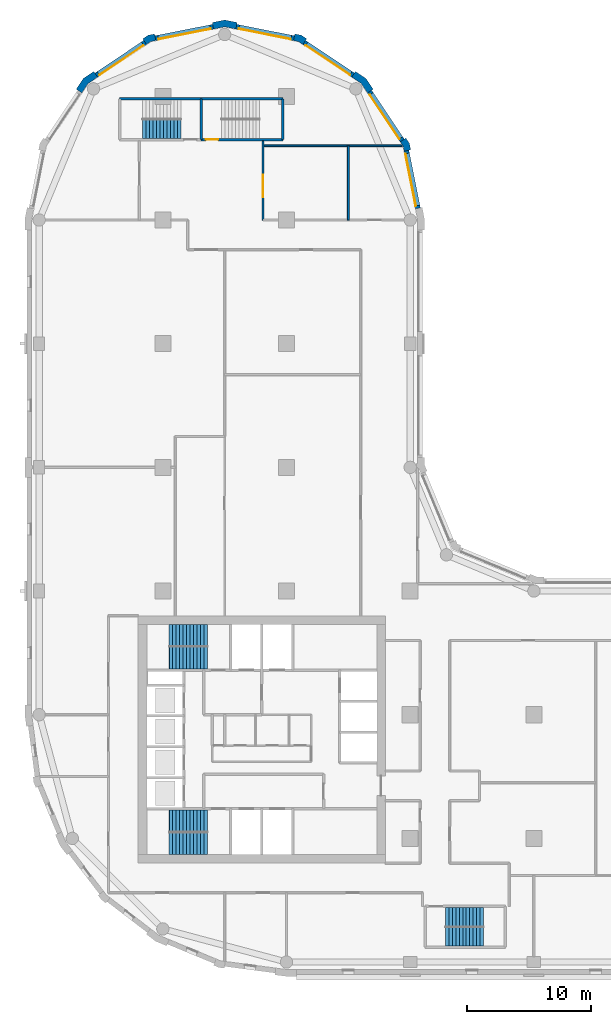
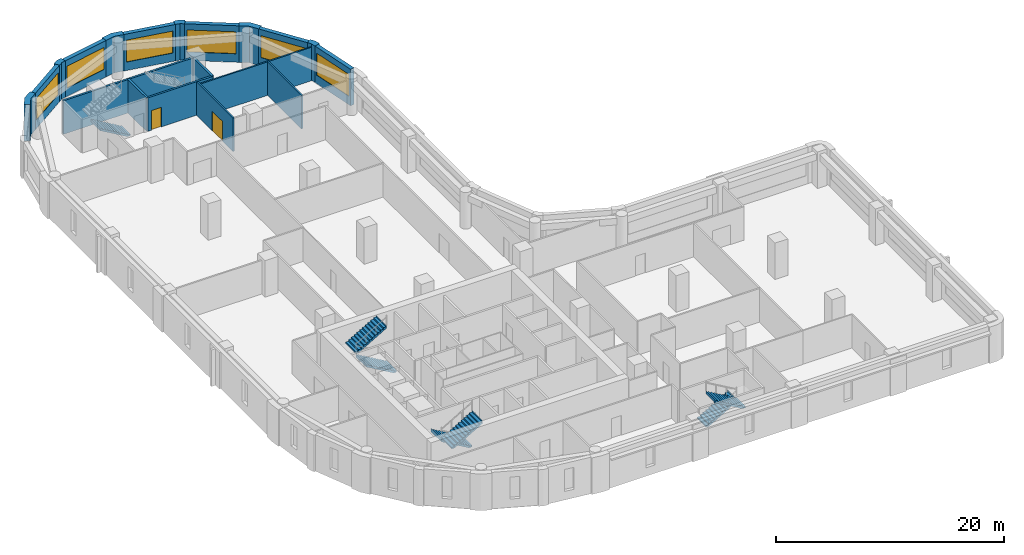
# One storey, part 6 of 9: 20 walls, 7 stair flights, 6 windows, 2 doors, 8 openings, 4 elements without a shape of their own.
"""IFC4 building model written with IfcOpenShell, lengths in metres."""

from ifc_helpers import new_model, si_unit, direction, frame, frame_2d, origin, place, context, subcontext, project, spatial, polyline, rectangle, outline, extrude, material, layer, layer_set, type_object, element, fill, aggregate, save


model = new_model("IFC4")

# Units and contexts
model_context = context("Model", 3, precision=1e-05, world=origin(), true_north=direction((0.0, 1.0)))
body_context = subcontext(model_context, "Body", "Model", "MODEL_VIEW")
ifc_project = project(units=[si_unit("LENGTHUNIT", "METRE"), si_unit("AREAUNIT", "SQUARE_METRE"), si_unit("VOLUMEUNIT", "CUBIC_METRE"), si_unit("PLANEANGLEUNIT", "RADIAN"), si_unit("MASSUNIT", "GRAM", prefix="KILO")], contexts=[model_context])

# Site, building, storey
site_placement = place(None, origin())
site = spatial("IfcSite", under=ifc_project, at=site_placement, CompositionType="ELEMENT")
building_placement = place(site_placement, origin())
building = spatial("IfcBuilding", under=site, at=building_placement, Name="Qaws Garden Tower", CompositionType="ELEMENT")
storey_placement = place(building_placement, frame((0.0, 0.0, 135.60009765625)))
storey = spatial("IfcBuildingStorey", under=building, at=storey_placement, Name="L32", CompositionType="ELEMENT", Elevation=135.60009765625)

# Wall, opening, window
ifc_material_1 = material(Name="Clay facing brick masonry", Category="masonry")
ifc_layer_1 = layer(ifc_material_1, 0.39990234375)
ifc_layer_set_1 = layer_set([ifc_layer_1], Name="Clay facing brick masonry")
wall_type_1 = type_object("IfcWallType", Name="Brick infill wall 400", PredefinedType="SOLIDWALL", material=ifc_layer_set_1)
wall_1_placement = place(storey_placement, frame((30.628662109375, 60.940673828125, 0.0), z_axis=(0.0, 0.0, 1.0), x_axis=(-0.195098533057, 0.98078364709, 0.0)))
wall_1 = element("IfcWall", 1, at=wall_1_placement, inside=storey, type_object=wall_type_1, Name="E-L32-infill-13", PredefinedType="SOLIDWALL", context=body_context, shape_type="SweptSolid", body=[
    extrude(rectangle(XDim=4.752685546875, YDim=0.39990234375, at=frame_2d((2.37646484375, 0.0))), origin(), (0.0, 0.0, 1.0), 3.89990234375),
])
opening_1_placement = place(wall_1_placement, frame((0.226318359375, 0.0, 0.89990234375)))
opening_1 = element("IfcOpeningElement", 2, at=opening_1_placement, cuts=wall_1, Name="Opening W06", PredefinedType="OPENING", context=body_context, shape_type="SweptSolid", body=[
    extrude(rectangle(XDim=4.300048828125, YDim=2.35009765625, at=frame_2d((2.14990234375, 1.175048828125))), frame((0.0, 0.2099609375, 0.0), z_axis=(0.0, -1.0, 0.0), x_axis=(1.0, 0.0, 0.0)), (0.0, 0.0, 1.0), 0.419921875),
])
ifc_material_2 = material(Name="Aluminium framed window, clear glazing", Category="aluminium")
window_type = type_object("IfcWindowType", Name="Ribbon window 4300 x 2350", PartitioningType="DOUBLE_PANEL_VERTICAL", PredefinedType="WINDOW", material=ifc_material_2)
window_1_placement = place(opening_1_placement, origin())
window_1 = element("IfcWindow", 3, at=window_1_placement, inside=storey, type_object=window_type, Name="E-L32-window-13-0", OverallHeight=2.35009765625, OverallWidth=4.300048828125, PartitioningType="SINGLE_PANEL", PredefinedType="WINDOW", context=body_context, shape_type="SweptSolid", body=[
    extrude(rectangle(XDim=4.300048828125, YDim=2.35009765625, at=frame_2d((2.14990234375, 1.175048828125))), frame((0.0, 0.159912109375, 0.0), z_axis=(0.0, -1.0, 0.0), x_axis=(1.0, 0.0, 0.0)), (0.0, 0.0, 1.0), 0.06005859375),
])
fill(opening_1, window_1)

wall_2_placement = place(storey_placement, frame((29.356689453125, 66.43408203125, 0.0), z_axis=(0.0, 0.0, 1.0), x_axis=(-0.555541552266, 0.831488775454, 0.0)))
wall_2 = element("IfcWall", 4, at=wall_2_placement, inside=storey, type_object=wall_type_1, Name="E-L32-infill-14", PredefinedType="SOLIDWALL", context=body_context, shape_type="SweptSolid", body=[
    extrude(rectangle(XDim=4.752685546875, YDim=0.39990234375, at=frame_2d((2.37646484375, 0.0))), origin(), (0.0, 0.0, 1.0), 3.89990234375),
])
opening_2_placement = place(wall_2_placement, frame((0.226318359375, 0.0, 0.89990234375)))
opening_2 = element("IfcOpeningElement", 5, at=opening_2_placement, cuts=wall_2, Name="Opening W06", PredefinedType="OPENING", context=body_context, shape_type="SweptSolid", body=[
    extrude(rectangle(XDim=4.300048828125, YDim=2.35009765625, at=frame_2d((2.14990234375, 1.175048828125))), frame((0.0, 0.2099609375, 0.0), z_axis=(0.0, -1.0, 0.0), x_axis=(1.0, 0.0, 0.0)), (0.0, 0.0, 1.0), 0.419921875),
])
window_2_placement = place(opening_2_placement, origin())
window_2 = element("IfcWindow", 6, at=window_2_placement, inside=storey, type_object=window_type, Name="E-L32-window-14-0", OverallHeight=2.35009765625, OverallWidth=4.300048828125, PartitioningType="SINGLE_PANEL", PredefinedType="WINDOW", context=body_context, shape_type="SweptSolid", body=[
    extrude(rectangle(XDim=4.300048828125, YDim=2.35009765625, at=frame_2d((2.14990234375, 1.175048828125))), frame((0.0, 0.159912109375, 0.0), z_axis=(0.0, -1.0, 0.0), x_axis=(1.0, 0.0, 0.0)), (0.0, 0.0, 1.0), 0.06005859375),
])
fill(opening_2, window_2)

wall_3_placement = place(storey_placement, frame((25.385986328125, 71.71630859375, 0.0), z_axis=(0.0, 0.0, 1.0), x_axis=(-0.831488775454, 0.555541552266, 0.0)))
wall_3 = element("IfcWall", 7, at=wall_3_placement, inside=storey, type_object=wall_type_1, Name="E-L32-infill-15", PredefinedType="SOLIDWALL", context=body_context, shape_type="SweptSolid", body=[
    extrude(rectangle(XDim=4.752685546875, YDim=0.39990234375, at=frame_2d((2.37646484375, 0.0))), origin(), (0.0, 0.0, 1.0), 3.89990234375),
])
opening_3_placement = place(wall_3_placement, frame((0.226318359375, 0.0, 0.89990234375)))
opening_3 = element("IfcOpeningElement", 8, at=opening_3_placement, cuts=wall_3, Name="Opening W06", PredefinedType="OPENING", context=body_context, shape_type="SweptSolid", body=[
    extrude(rectangle(XDim=4.300048828125, YDim=2.35009765625, at=frame_2d((2.14990234375, 1.175048828125))), frame((0.0, 0.2099609375, 0.0), z_axis=(0.0, -1.0, 0.0), x_axis=(1.0, 0.0, 0.0)), (0.0, 0.0, 1.0), 0.419921875),
])
window_3_placement = place(opening_3_placement, origin())
window_3 = element("IfcWindow", 9, at=window_3_placement, inside=storey, type_object=window_type, Name="E-L32-window-15-0", OverallHeight=2.35009765625, OverallWidth=4.300048828125, PartitioningType="SINGLE_PANEL", PredefinedType="WINDOW", context=body_context, shape_type="SweptSolid", body=[
    extrude(rectangle(XDim=4.300048828125, YDim=2.35009765625, at=frame_2d((2.14990234375, 1.175048828125))), frame((0.0, 0.159912109375, 0.0), z_axis=(0.0, -1.0, 0.0), x_axis=(1.0, 0.0, 0.0)), (0.0, 0.0, 1.0), 0.06005859375),
])
fill(opening_3, window_3)

wall_4_placement = place(storey_placement, frame((20.60205078125, 74.701416015625, 0.0), z_axis=(0.0, 0.0, 1.0), x_axis=(-0.98078364709, 0.195098533057, 0.0)))
wall_4 = element("IfcWall", 10, at=wall_4_placement, inside=storey, type_object=wall_type_1, Name="E-L32-infill-16", PredefinedType="SOLIDWALL", context=body_context, shape_type="SweptSolid", body=[
    extrude(rectangle(XDim=4.752685546875, YDim=0.39990234375, at=frame_2d((2.37646484375, 0.0))), origin(), (0.0, 0.0, 1.0), 3.89990234375),
])
opening_4_placement = place(wall_4_placement, frame((0.226318359375, 0.0, 0.89990234375)))
opening_4 = element("IfcOpeningElement", 11, at=opening_4_placement, cuts=wall_4, Name="Opening W06", PredefinedType="OPENING", context=body_context, shape_type="SweptSolid", body=[
    extrude(rectangle(XDim=4.300048828125, YDim=2.35009765625, at=frame_2d((2.14990234375, 1.175048828125))), frame((0.0, 0.2099609375, 0.0), z_axis=(0.0, -1.0, 0.0), x_axis=(1.0, 0.0, 0.0)), (0.0, 0.0, 1.0), 0.419921875),
])
window_4_placement = place(opening_4_placement, origin())
window_4 = element("IfcWindow", 12, at=window_4_placement, inside=storey, type_object=window_type, Name="E-L32-window-16-0", OverallHeight=2.35009765625, OverallWidth=4.300048828125, PartitioningType="SINGLE_PANEL", PredefinedType="WINDOW", context=body_context, shape_type="SweptSolid", body=[
    extrude(rectangle(XDim=4.300048828125, YDim=2.35009765625, at=frame_2d((2.14990234375, 1.175048828125))), frame((0.0, 0.159912109375, 0.0), z_axis=(0.0, -1.0, 0.0), x_axis=(1.0, 0.0, 0.0)), (0.0, 0.0, 1.0), 0.06005859375),
])
fill(opening_4, window_4)

wall_5_placement = place(storey_placement, frame((14.059326171875, 75.628662109375, 0.0), z_axis=(0.0, 0.0, 1.0), x_axis=(-0.98078364709, -0.195098533057, 0.0)))
wall_5 = element("IfcWall", 13, at=wall_5_placement, inside=storey, type_object=wall_type_1, Name="E-L32-infill-17", PredefinedType="SOLIDWALL", context=body_context, shape_type="SweptSolid", body=[
    extrude(rectangle(XDim=4.752685546875, YDim=0.39990234375, at=frame_2d((2.37646484375, 0.0))), origin(), (0.0, 0.0, 1.0), 3.89990234375),
])
opening_5_placement = place(wall_5_placement, frame((0.226318359375, 0.0, 0.89990234375)))
opening_5 = element("IfcOpeningElement", 14, at=opening_5_placement, cuts=wall_5, Name="Opening W06", PredefinedType="OPENING", context=body_context, shape_type="SweptSolid", body=[
    extrude(rectangle(XDim=4.300048828125, YDim=2.35009765625, at=frame_2d((2.14990234375, 1.175048828125))), frame((0.0, 0.2099609375, 0.0), z_axis=(0.0, -1.0, 0.0), x_axis=(1.0, 0.0, 0.0)), (0.0, 0.0, 1.0), 0.419921875),
])
window_5_placement = place(opening_5_placement, origin())
window_5 = element("IfcWindow", 15, at=window_5_placement, inside=storey, type_object=window_type, Name="E-L32-window-17-0", OverallHeight=2.35009765625, OverallWidth=4.300048828125, PartitioningType="SINGLE_PANEL", PredefinedType="WINDOW", context=body_context, shape_type="SweptSolid", body=[
    extrude(rectangle(XDim=4.300048828125, YDim=2.35009765625, at=frame_2d((2.14990234375, 1.175048828125))), frame((0.0, 0.159912109375, 0.0), z_axis=(0.0, -1.0, 0.0), x_axis=(1.0, 0.0, 0.0)), (0.0, 0.0, 1.0), 0.06005859375),
])
fill(opening_5, window_5)

wall_6_placement = place(storey_placement, frame((8.56591796875, 74.356689453125, 0.0), z_axis=(0.0, 0.0, 1.0), x_axis=(-0.831488775454, -0.555541552266, 0.0)))
wall_6 = element("IfcWall", 16, at=wall_6_placement, inside=storey, type_object=wall_type_1, Name="E-L32-infill-18", PredefinedType="SOLIDWALL", context=body_context, shape_type="SweptSolid", body=[
    extrude(rectangle(XDim=4.752685546875, YDim=0.39990234375, at=frame_2d((2.37646484375, 0.0))), origin(), (0.0, 0.0, 1.0), 3.89990234375),
])
opening_6_placement = place(wall_6_placement, frame((0.226318359375, 0.0, 0.89990234375)))
opening_6 = element("IfcOpeningElement", 17, at=opening_6_placement, cuts=wall_6, Name="Opening W06", PredefinedType="OPENING", context=body_context, shape_type="SweptSolid", body=[
    extrude(rectangle(XDim=4.300048828125, YDim=2.35009765625, at=frame_2d((2.14990234375, 1.175048828125))), frame((0.0, 0.2099609375, 0.0), z_axis=(0.0, -1.0, 0.0), x_axis=(1.0, 0.0, 0.0)), (0.0, 0.0, 1.0), 0.419921875),
])
window_6_placement = place(opening_6_placement, origin())
window_6 = element("IfcWindow", 18, at=window_6_placement, inside=storey, type_object=window_type, Name="E-L32-window-18-0", OverallHeight=2.35009765625, OverallWidth=4.300048828125, PartitioningType="SINGLE_PANEL", PredefinedType="WINDOW", context=body_context, shape_type="SweptSolid", body=[
    extrude(rectangle(XDim=4.300048828125, YDim=2.35009765625, at=frame_2d((2.14990234375, 1.175048828125))), frame((0.0, 0.159912109375, 0.0), z_axis=(0.0, -1.0, 0.0), x_axis=(1.0, 0.0, 0.0)), (0.0, 0.0, 1.0), 0.06005859375),
])
fill(opening_6, window_6)

# Walls
ifc_material_3 = material(Name="Clay facing brick masonry", Category="masonry")
ifc_layer_2 = layer(ifc_material_3, 0.550048828125)
ifc_layer_set_2 = layer_set([ifc_layer_2], Name="Clay facing brick masonry")
wall_type_2 = type_object("IfcWallType", Name="Brick kink pier 550 x 600", PredefinedType="SOLIDWALL", material=ifc_layer_set_2)
placement = place(storey_placement, origin())
element("IfcWall", 19, at=placement, inside=storey, type_object=wall_type_2, Name="E-L32-pier-14", PredefinedType="SOLIDWALL", context=body_context, shape_type="SweptSolid", body=[
    extrude(outline(polyline([(29.8974609375, 65.64111328125), (30.044677734375, 65.67041015625), (29.94140625, 66.18896484375), (29.647705078125, 66.628662109375), (29.52294921875, 66.545166015625), (29.1904296875, 66.322998046875), (29.42333984375, 65.974365234375), (29.505126953125, 65.56298828125), (29.8974609375, 65.64111328125)])), origin(), (0.0, 0.0, 1.0), 3.89990234375),
])
element("IfcWall", 20, at=placement, inside=storey, type_object=wall_type_2, Name="E-L32-pier-16", PredefinedType="SOLIDWALL", context=body_context, shape_type="SweptSolid", body=[
    extrude(outline(polyline([(21.545166015625, 74.52294921875), (21.628662109375, 74.647705078125), (21.18896484375, 74.94140625), (20.67041015625, 75.044677734375), (20.64111328125, 74.8974609375), (20.56298828125, 74.505126953125), (20.974365234375, 74.42333984375), (21.322998046875, 74.1904296875), (21.545166015625, 74.52294921875)])), origin(), (0.0, 0.0, 1.0), 3.89990234375),
])
element("IfcWall", 21, at=placement, inside=storey, type_object=wall_type_2, Name="E-L32-pier-18", PredefinedType="SOLIDWALL", context=body_context, shape_type="SweptSolid", body=[
    extrude(outline(polyline([(9.35888671875, 74.8974609375), (9.32958984375, 75.044677734375), (8.81103515625, 74.94140625), (8.371337890625, 74.647705078125), (8.454833984375, 74.52294921875), (8.677001953125, 74.1904296875), (9.025634765625, 74.42333984375), (9.43701171875, 74.505126953125), (9.35888671875, 74.8974609375)])), origin(), (0.0, 0.0, 1.0), 3.89990234375),
])
ifc_material_4 = material(Name="Clay facing brick masonry", Category="masonry")
ifc_layer_3 = layer(ifc_material_4, 0.550048828125)
ifc_layer_set_3 = layer_set([ifc_layer_3], Name="Clay facing brick masonry")
wall_type_3 = type_object("IfcWallType", Name="Brick pier 550 x 1600", PredefinedType="SOLIDWALL", material=ifc_layer_set_3)
element("IfcWall", 22, at=placement, inside=storey, type_object=wall_type_3, Name="E-L32-pier-15", PredefinedType="SOLIDWALL", context=body_context, shape_type="SweptSolid", body=[
    extrude(outline(polyline([(26.882568359375, 70.4970703125), (27.00732421875, 70.580322265625), (26.435791015625, 71.435791015625), (25.580322265625, 72.00732421875), (25.4970703125, 71.882568359375), (25.274658203125, 71.550048828125), (26.0390625, 71.0390625), (26.550048828125, 70.274658203125), (26.882568359375, 70.4970703125)])), origin(), (0.0, 0.0, 1.0), 3.89990234375),
])
element("IfcWall", 23, at=placement, inside=storey, type_object=wall_type_3, Name="E-L32-pier-17", PredefinedType="SOLIDWALL", context=body_context, shape_type="SweptSolid", body=[
    extrude(outline(polyline([(15.979736328125, 75.82470703125), (16.009033203125, 75.971923828125), (15.0, 76.172607421875), (13.990966796875, 75.971923828125), (14.020263671875, 75.82470703125), (14.098388671875, 75.432373046875), (15.0, 75.61181640625), (15.901611328125, 75.432373046875), (15.979736328125, 75.82470703125)])), origin(), (0.0, 0.0, 1.0), 3.89990234375),
])
element("IfcWall", 24, at=placement, inside=storey, type_object=wall_type_3, Name="E-L32-pier-19", PredefinedType="SOLIDWALL", context=body_context, shape_type="SweptSolid", body=[
    extrude(outline(polyline([(4.5029296875, 71.882568359375), (4.419677734375, 72.00732421875), (3.564208984375, 71.435791015625), (2.99267578125, 70.580322265625), (3.117431640625, 70.4970703125), (3.449951171875, 70.274658203125), (3.9609375, 71.0390625), (4.725341796875, 71.550048828125), (4.5029296875, 71.882568359375)])), origin(), (0.0, 0.0, 1.0), 3.89990234375),
])

# Wall, opening, door
ifc_material_5 = material(Name="Concrete C70", Category="concrete")
ifc_layer_4 = layer(ifc_material_5, 0.199951171875)
ifc_layer_set_4 = layer_set([ifc_layer_4], Name="Concrete C70")
wall_type_4 = type_object("IfcWallType", Name="Core shaft wall 200 C70", PredefinedType="SHEAR", material=ifc_layer_set_4)
wall_13_placement = place(storey_placement, frame((13.10009765625, 66.5, 0.0), z_axis=(0.0, 0.0, 1.0), x_axis=(1.0, 0.0, 0.0)))
wall_13 = element("IfcWall", 25, at=wall_13_placement, inside=storey, type_object=wall_type_4, Name="Shaft wall", PredefinedType="SHEAR", context=body_context, shape_type="SweptSolid", body=[
    extrude(rectangle(XDim=6.599853515625, YDim=0.199951171875, at=frame_2d((3.2998046875, 0.0))), origin(), (0.0, 0.0, 1.0), 3.579833984375),
])
opening_7_placement = place(wall_13_placement, frame((0.375, 0.0, 0.0)))
opening_7 = element("IfcOpeningElement", 26, at=opening_7_placement, cuts=wall_13, Name="Opening SD14", PredefinedType="OPENING", context=body_context, shape_type="SweptSolid", body=[
    extrude(rectangle(XDim=1.0, YDim=2.10009765625, at=frame_2d((0.5, 1.050048828125))), frame((0.0, 0.10986328125, 0.0), z_axis=(0.0, -1.0, 0.0), x_axis=(1.0, 0.0, 0.0)), (0.0, 0.0, 1.0), 0.219970703125),
])
ifc_material_6 = material(Name="Steel S235", Category="steel")
door_type_1 = type_object("IfcDoorType", Name="Stair door 1000x2100", OperationType="SINGLE_SWING_RIGHT", PredefinedType="DOOR", material=ifc_material_6)
door_1_placement = place(opening_7_placement, origin())
door_1 = element("IfcDoor", 27, at=door_1_placement, inside=storey, type_object=door_type_1, Name="Stair 7 door", OperationType="SINGLE_SWING_LEFT", OverallHeight=2.10009765625, OverallWidth=1.0, PredefinedType="DOOR", context=body_context, shape_type="SweptSolid", body=[
    extrude(rectangle(XDim=1.0, YDim=2.10009765625, at=frame_2d((0.5, 1.050048828125))), frame((0.0, 0.02490234375, 0.0), z_axis=(0.0, -1.0, 0.0), x_axis=(1.0, 0.0, 0.0)), (0.0, 0.0, 1.0), 0.050048828125),
])
fill(opening_7, door_1)

# Walls
wall_14_placement = place(storey_placement, frame((6.5, 69.800048828125, 0.0), z_axis=(0.0, 0.0, 1.0), x_axis=(1.0, 0.0, 0.0)))
element("IfcWall", 28, at=wall_14_placement, inside=storey, type_object=wall_type_4, Name="Shaft wall", PredefinedType="SHEAR", context=body_context, shape_type="SweptSolid", body=[
    extrude(rectangle(XDim=6.60009765625, YDim=0.199951171875, at=frame_2d((3.300048828125, 0.0))), origin(), (0.0, 0.0, 1.0), 3.579833984375),
])
wall_15_placement = place(storey_placement, frame((13.10009765625, 69.800048828125, 0.0), z_axis=(0.0, 0.0, 1.0), x_axis=(1.0, 0.0, 0.0)))
element("IfcWall", 29, at=wall_15_placement, inside=storey, type_object=wall_type_4, Name="Shaft wall", PredefinedType="SHEAR", context=body_context, shape_type="SweptSolid", body=[
    extrude(rectangle(XDim=6.599853515625, YDim=0.199951171875, at=frame_2d((3.2998046875, 0.0))), origin(), (0.0, 0.0, 1.0), 3.579833984375),
])
for number, where, z_axis, x_axis, name in (
    (30, (13.10009765625, 66.5, 0.0), (0.0, 0.0, 1.0), (0.0, 1.0, 0.0), "Shaft wall"),
    (31, (19.699951171875, 66.5, 0.0), (0.0, 0.0, 1.0), (0.0, 1.0, 0.0), "Shaft wall"),
):
    element("IfcWall", number, at=place(storey_placement, frame(where, z_axis=z_axis, x_axis=x_axis)), inside=storey, type_object=wall_type_4, Name=name, PredefinedType="SHEAR", context=body_context, shape_type="SweptSolid", body=[
        extrude(rectangle(XDim=3.300048828125, YDim=0.199951171875, at=frame_2d((1.64990234375, 0.0))), origin(), (0.0, 0.0, 1.0), 3.579833984375),
    ])

# Wall, opening, door
ifc_material_7 = material(Name="Gypsum board partition")
ifc_layer_5 = layer(ifc_material_7, 0.14990234375)
ifc_layer_set_5 = layer_set([ifc_layer_5], Name="Gypsum board partition")
wall_type_5 = type_object("IfcWallType", Name="PARTITION 150 EI 60", PredefinedType="PARTITIONING", material=ifc_layer_set_5)
wall_16_placement = place(storey_placement, frame((18.10009765625, 60.0, 0.0), z_axis=(0.0, 0.0, 1.0), x_axis=(0.0, 1.0, 0.0)))
wall_16 = element("IfcWall", 32, at=wall_16_placement, inside=storey, type_object=wall_type_5, Name="O-L32-wall-010", PredefinedType="PARTITIONING", context=body_context, shape_type="SweptSolid", body=[
    extrude(rectangle(XDim=6.39990234375, YDim=0.14990234375, at=frame_2d((3.199951171875, 0.0))), origin(), (0.0, 0.0, 1.0), 3.579833984375),
])
opening_8_placement = place(wall_16_placement, frame((1.85009765625, 0.0, 0.0)))
opening_8 = element("IfcOpeningElement", 33, at=opening_8_placement, cuts=wall_16, Name="Opening B108", PredefinedType="OPENING", context=body_context, shape_type="SweptSolid", body=[
    extrude(rectangle(XDim=1.800048828125, YDim=2.10009765625, at=frame_2d((0.89990234375, 1.050048828125))), frame((0.0, 0.0849609375, 0.0), z_axis=(0.0, -1.0, 0.0), x_axis=(1.0, 0.0, 0.0)), (0.0, 0.0, 1.0), 0.169921875),
])
ifc_material_8 = material(Name="Timber door leaf", Category="wood")
door_type_2 = type_object("IfcDoorType", Name="DOUBLE DOOR 1800 X 2100", OperationType="DOUBLE_DOOR_SINGLE_SWING", PredefinedType="DOOR", material=ifc_material_8)
door_2_placement = place(opening_8_placement, frame((1.800048828125, 0.0, 0.0), z_axis=(0.0, 0.0, 1.0), x_axis=(-1.0, 0.0, 0.0)))
door_2 = element("IfcDoor", 34, at=door_2_placement, inside=storey, type_object=door_type_2, Name="O-L32-door-008", OperationType="DOUBLE_DOOR_SINGLE_SWING", OverallHeight=2.10009765625, OverallWidth=1.800048828125, PredefinedType="DOOR", context=body_context, shape_type="SweptSolid", body=[
    extrude(rectangle(XDim=1.800048828125, YDim=2.10009765625, at=frame_2d((0.89990234375, 1.050048828125))), frame((0.0, 0.02490234375, 0.0), z_axis=(0.0, -1.0, 0.0), x_axis=(1.0, 0.0, 0.0)), (0.0, 0.0, 1.0), 0.050048828125),
])
fill(opening_8, door_2)

# Walls
wall_17_placement = place(storey_placement, frame((25.0, 60.0, 0.0), z_axis=(0.0, 0.0, 1.0), x_axis=(0.0, 1.0, 0.0)))
element("IfcWall", 35, at=wall_17_placement, inside=storey, type_object=wall_type_5, Name="O-L32-wall-012", PredefinedType="PARTITIONING", context=body_context, shape_type="SweptSolid", body=[
    extrude(rectangle(XDim=6.0, YDim=0.14990234375, at=frame_2d((3.0, 0.0))), origin(), (0.0, 0.0, 1.0), 3.579833984375),
])
wall_18_placement = place(storey_placement, frame((18.10009765625, 66.0, 0.0), z_axis=(0.0, 0.0, 1.0), x_axis=(1.0, 0.0, 0.0)))
element("IfcWall", 36, at=wall_18_placement, inside=storey, type_object=wall_type_5, Name="O-L32-wall-049", PredefinedType="PARTITIONING", context=body_context, shape_type="SweptSolid", body=[
    extrude(rectangle(XDim=11.256103515625, YDim=0.14990234375, at=frame_2d((5.6279296875, 0.0))), origin(), (0.0, 0.0, 1.0), 3.579833984375),
])

# Stair, stair flights
ifc_material_9 = material(Name="Concrete C40", Category="concrete")
stair_type_1 = type_object("IfcStairType", Name="Exit stair 1350", PredefinedType="HALF_TURN_STAIR", material=ifc_material_9)
stair_1 = element("IfcStair", 37, at=placement, inside=storey, type_object=stair_type_1, Name="Stair 5", PredefinedType="HALF_TURN_STAIR")
ifc_material_10 = material(Name="Concrete C40", Category="concrete")
stair_flight_type_1 = type_object("IfcStairFlightType", Name="Stair flight 1350", PredefinedType="STRAIGHT", material=ifc_material_10)
stair_flight_1_placement = place(storey_placement, frame((32.85009765625, 3.625, 0.0), z_axis=(0.0, 0.0, 1.0), x_axis=(1.0, 0.0, 0.0)))
stair_flight_1 = element("IfcStairFlight", 38, at=stair_flight_1_placement, type_object=stair_flight_type_1, Name="ST5 flight 1", NumberOfRisers=12, NumberOfTreads=11, PredefinedType="STRAIGHT", RiserHeight=0.1625, TreadLength=0.28, context=body_context, shape_type="SweptSolid", body=[
    extrude(outline(polyline([(-0.0029296875, 0.0), (-0.0029296875, 0.16259765625), (0.0, 0.16259765625), (0.280029296875, 0.16259765625), (0.280029296875, 0.324951171875), (0.56005859375, 0.324951171875), (0.56005859375, 0.487548828125), (0.840087890625, 0.487548828125), (0.840087890625, 0.64990234375), (1.1201171875, 0.64990234375), (1.1201171875, 0.8125), (1.39990234375, 0.8125), (1.39990234375, 0.97509765625), (1.679931640625, 0.97509765625), (1.679931640625, 1.137451171875), (1.9599609375, 1.137451171875), (1.9599609375, 1.300048828125), (2.239990234375, 1.300048828125), (2.239990234375, 1.46240234375), (2.52001953125, 1.46240234375), (2.52001953125, 1.625), (2.800048828125, 1.625), (2.800048828125, 1.78759765625), (3.080078125, 1.78759765625), (3.080078125, 1.949951171875), (3.0830078125, 1.949951171875), (3.0830078125, 1.6142578125), (3.080078125, 1.6142578125), (0.298583984375, 0.0), (-0.0029296875, 0.0)])), frame((0.0, 0.77490234375, 0.0), z_axis=(0.0, -1.0, 0.0), x_axis=(1.0, 0.0, 0.0)), (0.0, 0.0, 1.0), 1.550048828125),
])
stair_flight_2_placement = place(storey_placement, frame((35.929931640625, 2.074951171875, 1.949951171875), z_axis=(0.0, 0.0, 1.0), x_axis=(-1.0, 0.0, 0.0)))
stair_flight_2 = element("IfcStairFlight", 39, at=stair_flight_2_placement, type_object=stair_flight_type_1, Name="ST5 flight 2", NumberOfRisers=12, NumberOfTreads=11, PredefinedType="STRAIGHT", RiserHeight=0.1625, TreadLength=0.28, context=body_context, shape_type="SweptSolid", body=[
    extrude(outline(polyline([(-0.0029296875, 0.0), (-0.0029296875, 0.16259765625), (0.0, 0.16259765625), (0.280029296875, 0.16259765625), (0.280029296875, 0.324951171875), (0.56005859375, 0.324951171875), (0.56005859375, 0.487548828125), (0.840087890625, 0.487548828125), (0.840087890625, 0.64990234375), (1.1201171875, 0.64990234375), (1.1201171875, 0.8125), (1.39990234375, 0.8125), (1.39990234375, 0.97509765625), (1.679931640625, 0.97509765625), (1.679931640625, 1.137451171875), (1.9599609375, 1.137451171875), (1.9599609375, 1.300048828125), (2.239990234375, 1.300048828125), (2.239990234375, 1.46240234375), (2.52001953125, 1.46240234375), (2.52001953125, 1.625), (2.800048828125, 1.625), (2.800048828125, 1.78759765625), (3.080078125, 1.78759765625), (3.080078125, 1.949951171875), (3.0830078125, 1.949951171875), (3.0830078125, 1.6142578125), (3.080078125, 1.6142578125), (0.298583984375, 0.0), (-0.0029296875, 0.0)])), frame((0.0, 0.77490234375, 0.0), z_axis=(0.0, -1.0, 0.0), x_axis=(1.0, 0.0, 0.0)), (0.0, 0.0, 1.0), 1.550048828125),
])
aggregate(stair_1, [stair_flight_1, stair_flight_2])

# Stair, stair flight
stair_2 = element("IfcStair", 40, at=placement, inside=storey, type_object=stair_type_1, Name="Stair 6", PredefinedType="HALF_TURN_STAIR")
stair_flight_3_placement = place(storey_placement, frame((11.449951171875, 67.375, 0.0), z_axis=(0.0, 0.0, 1.0), x_axis=(-1.0, 0.0, 0.0)))
stair_flight_3 = element("IfcStairFlight", 41, at=stair_flight_3_placement, type_object=stair_flight_type_1, Name="ST6 flight 1", NumberOfRisers=12, NumberOfTreads=11, PredefinedType="STRAIGHT", RiserHeight=0.1625, TreadLength=0.28, context=body_context, shape_type="SweptSolid", body=[
    extrude(outline(polyline([(-0.0029296875, 0.0), (-0.0029296875, 0.16259765625), (0.0, 0.16259765625), (0.280029296875, 0.16259765625), (0.280029296875, 0.324951171875), (0.56005859375, 0.324951171875), (0.56005859375, 0.487548828125), (0.840087890625, 0.487548828125), (0.840087890625, 0.64990234375), (1.1201171875, 0.64990234375), (1.1201171875, 0.8125), (1.39990234375, 0.8125), (1.39990234375, 0.97509765625), (1.679931640625, 0.97509765625), (1.679931640625, 1.137451171875), (1.9599609375, 1.137451171875), (1.9599609375, 1.300048828125), (2.239990234375, 1.300048828125), (2.239990234375, 1.46240234375), (2.52001953125, 1.46240234375), (2.52001953125, 1.625), (2.800048828125, 1.625), (2.800048828125, 1.78759765625), (3.080078125, 1.78759765625), (3.080078125, 1.949951171875), (3.0830078125, 1.949951171875), (3.0830078125, 1.6142578125), (3.080078125, 1.6142578125), (0.298583984375, 0.0), (-0.0029296875, 0.0)])), frame((0.0, 0.77490234375, 0.0), z_axis=(0.0, -1.0, 0.0), x_axis=(1.0, 0.0, 0.0)), (0.0, 0.0, 1.0), 1.550048828125),
])
aggregate(stair_2, [stair_flight_3])

# Stair, stair flights
ifc_material_11 = material(Name="Concrete C40", Category="concrete")
stair_type_2 = type_object("IfcStairType", Name="Exit stair 1500", PredefinedType="HALF_TURN_STAIR", material=ifc_material_11)
stair_3 = element("IfcStair", 42, at=placement, inside=storey, type_object=stair_type_2, Name="Stair 1", PredefinedType="HALF_TURN_STAIR")
ifc_material_12 = material(Name="Concrete C40", Category="concrete")
stair_flight_type_2 = type_object("IfcStairFlightType", Name="Stair flight 1500", PredefinedType="STRAIGHT", material=ifc_material_12)
stair_flight_4_placement = place(storey_placement, frame((13.60009765625, 11.39990234375, 0.0), z_axis=(0.0, 0.0, 1.0), x_axis=(-1.0, 0.0, 0.0)))
stair_flight_4 = element("IfcStairFlight", 43, at=stair_flight_4_placement, type_object=stair_flight_type_2, Name="ST1 flight 1", NumberOfRisers=12, NumberOfTreads=11, PredefinedType="STRAIGHT", RiserHeight=0.1625, TreadLength=0.28, context=body_context, shape_type="SweptSolid", body=[
    extrude(outline(polyline([(-0.0029296875, 0.0), (-0.0029296875, 0.16259765625), (0.0, 0.16259765625), (0.280029296875, 0.16259765625), (0.280029296875, 0.324951171875), (0.56005859375, 0.324951171875), (0.56005859375, 0.487548828125), (0.840087890625, 0.487548828125), (0.840087890625, 0.64990234375), (1.1201171875, 0.64990234375), (1.1201171875, 0.8125), (1.39990234375, 0.8125), (1.39990234375, 0.97509765625), (1.679931640625, 0.97509765625), (1.679931640625, 1.137451171875), (1.9599609375, 1.137451171875), (1.9599609375, 1.300048828125), (2.239990234375, 1.300048828125), (2.239990234375, 1.46240234375), (2.52001953125, 1.46240234375), (2.52001953125, 1.625), (2.800048828125, 1.625), (2.800048828125, 1.78759765625), (3.080078125, 1.78759765625), (3.080078125, 1.949951171875), (3.0830078125, 1.949951171875), (3.0830078125, 1.6142578125), (3.080078125, 1.6142578125), (0.298583984375, 0.0), (-0.0029296875, 0.0)])), frame((0.0, 0.89990234375, 0.0), z_axis=(0.0, -1.0, 0.0), x_axis=(1.0, 0.0, 0.0)), (0.0, 0.0, 1.0), 1.800048828125),
])
stair_flight_5_placement = place(storey_placement, frame((10.52001953125, 9.60009765625, 1.949951171875), z_axis=(0.0, 0.0, 1.0), x_axis=(1.0, 0.0, 0.0)))
stair_flight_5 = element("IfcStairFlight", 44, at=stair_flight_5_placement, type_object=stair_flight_type_2, Name="ST1 flight 2", NumberOfRisers=12, NumberOfTreads=11, PredefinedType="STRAIGHT", RiserHeight=0.1625, TreadLength=0.28, context=body_context, shape_type="SweptSolid", body=[
    extrude(outline(polyline([(-0.0029296875, 0.0), (-0.0029296875, 0.16259765625), (0.0, 0.16259765625), (0.280029296875, 0.16259765625), (0.280029296875, 0.324951171875), (0.56005859375, 0.324951171875), (0.56005859375, 0.487548828125), (0.840087890625, 0.487548828125), (0.840087890625, 0.64990234375), (1.1201171875, 0.64990234375), (1.1201171875, 0.8125), (1.39990234375, 0.8125), (1.39990234375, 0.97509765625), (1.679931640625, 0.97509765625), (1.679931640625, 1.137451171875), (1.9599609375, 1.137451171875), (1.9599609375, 1.300048828125), (2.239990234375, 1.300048828125), (2.239990234375, 1.46240234375), (2.52001953125, 1.46240234375), (2.52001953125, 1.625), (2.800048828125, 1.625), (2.800048828125, 1.78759765625), (3.080078125, 1.78759765625), (3.080078125, 1.949951171875), (3.0830078125, 1.949951171875), (3.0830078125, 1.6142578125), (3.080078125, 1.6142578125), (0.298583984375, 0.0), (-0.0029296875, 0.0)])), frame((0.0, 0.89990234375, 0.0), z_axis=(0.0, -1.0, 0.0), x_axis=(1.0, 0.0, 0.0)), (0.0, 0.0, 1.0), 1.800048828125),
])
aggregate(stair_3, [stair_flight_4, stair_flight_5])

stair_4 = element("IfcStair", 45, at=placement, inside=storey, type_object=stair_type_2, Name="Stair 4", PredefinedType="HALF_TURN_STAIR")
stair_flight_6_placement = place(storey_placement, frame((13.60009765625, 24.60009765625, 0.0), z_axis=(0.0, 0.0, 1.0), x_axis=(-1.0, 0.0, 0.0)))
stair_flight_6 = element("IfcStairFlight", 46, at=stair_flight_6_placement, type_object=stair_flight_type_2, Name="ST4 flight 1", NumberOfRisers=12, NumberOfTreads=11, PredefinedType="STRAIGHT", RiserHeight=0.1625, TreadLength=0.28, context=body_context, shape_type="SweptSolid", body=[
    extrude(outline(polyline([(-0.0029296875, 0.0), (-0.0029296875, 0.16259765625), (0.0, 0.16259765625), (0.280029296875, 0.16259765625), (0.280029296875, 0.324951171875), (0.56005859375, 0.324951171875), (0.56005859375, 0.487548828125), (0.840087890625, 0.487548828125), (0.840087890625, 0.64990234375), (1.1201171875, 0.64990234375), (1.1201171875, 0.8125), (1.39990234375, 0.8125), (1.39990234375, 0.97509765625), (1.679931640625, 0.97509765625), (1.679931640625, 1.137451171875), (1.9599609375, 1.137451171875), (1.9599609375, 1.300048828125), (2.239990234375, 1.300048828125), (2.239990234375, 1.46240234375), (2.52001953125, 1.46240234375), (2.52001953125, 1.625), (2.800048828125, 1.625), (2.800048828125, 1.78759765625), (3.080078125, 1.78759765625), (3.080078125, 1.949951171875), (3.0830078125, 1.949951171875), (3.0830078125, 1.6142578125), (3.080078125, 1.6142578125), (0.298583984375, 0.0), (-0.0029296875, 0.0)])), frame((0.0, 0.89501953125, 0.0), z_axis=(0.0, -1.0, 0.0), x_axis=(1.0, 0.0, 0.0)), (0.0, 0.0, 1.0), 1.7900390625),
])
stair_flight_7_placement = place(storey_placement, frame((10.52001953125, 26.39990234375, 1.949951171875), z_axis=(0.0, 0.0, 1.0), x_axis=(1.0, 0.0, 0.0)))
stair_flight_7 = element("IfcStairFlight", 47, at=stair_flight_7_placement, type_object=stair_flight_type_2, Name="ST4 flight 2", NumberOfRisers=12, NumberOfTreads=11, PredefinedType="STRAIGHT", RiserHeight=0.1625, TreadLength=0.28, context=body_context, shape_type="SweptSolid", body=[
    extrude(outline(polyline([(-0.0029296875, 0.0), (-0.0029296875, 0.16259765625), (0.0, 0.16259765625), (0.280029296875, 0.16259765625), (0.280029296875, 0.324951171875), (0.56005859375, 0.324951171875), (0.56005859375, 0.487548828125), (0.840087890625, 0.487548828125), (0.840087890625, 0.64990234375), (1.1201171875, 0.64990234375), (1.1201171875, 0.8125), (1.39990234375, 0.8125), (1.39990234375, 0.97509765625), (1.679931640625, 0.97509765625), (1.679931640625, 1.137451171875), (1.9599609375, 1.137451171875), (1.9599609375, 1.300048828125), (2.239990234375, 1.300048828125), (2.239990234375, 1.46240234375), (2.52001953125, 1.46240234375), (2.52001953125, 1.625), (2.800048828125, 1.625), (2.800048828125, 1.78759765625), (3.080078125, 1.78759765625), (3.080078125, 1.949951171875), (3.0830078125, 1.949951171875), (3.0830078125, 1.6142578125), (3.080078125, 1.6142578125), (0.298583984375, 0.0), (-0.0029296875, 0.0)])), frame((0.0, 0.89501953125, 0.0), z_axis=(0.0, -1.0, 0.0), x_axis=(1.0, 0.0, 0.0)), (0.0, 0.0, 1.0), 1.7900390625),
])
aggregate(stair_4, [stair_flight_6, stair_flight_7])

save(model, "model.ifc")
